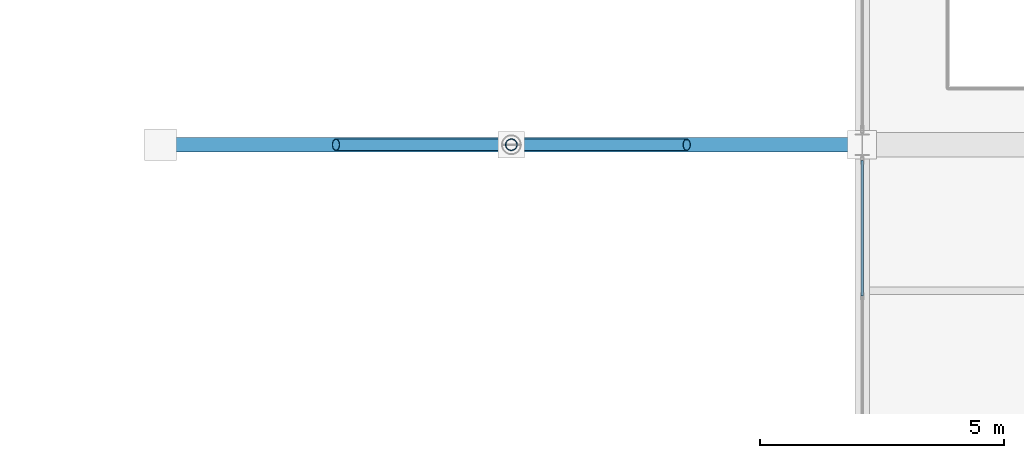
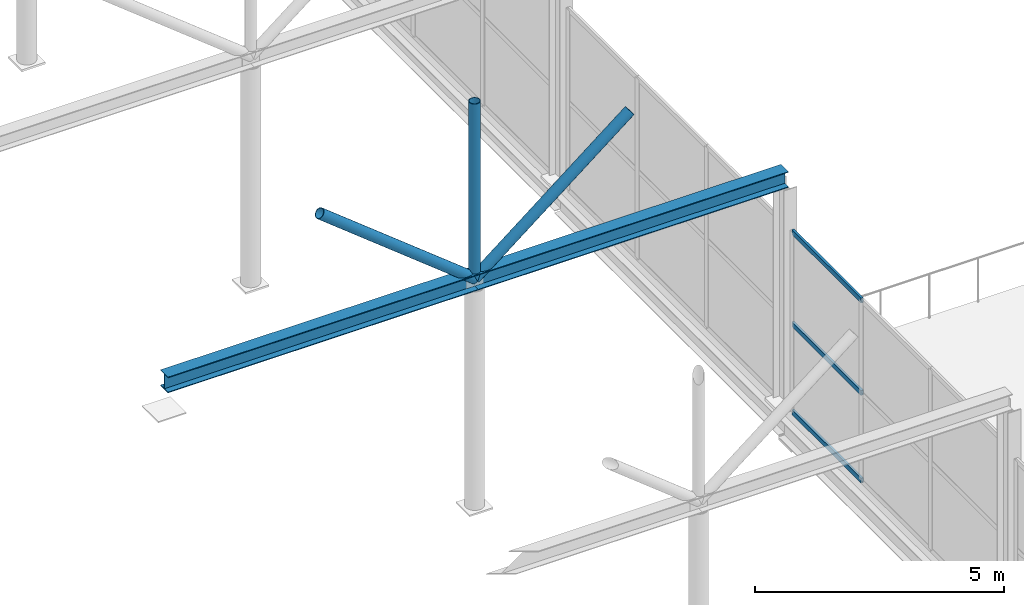
# One storey, part 37 of 147: 6 members, 2 beams, 1 element without a shape of its own.
"""IFC4 building model written with IfcOpenShell, lengths in metres."""

from ifc_helpers import new_model, si_unit, direction, frame, origin, origin_2d, place, context, subcontext, project, spatial, hollow_rectangle, hollow_circle, i_section, extrude, material, layer, layer_set, material_profile, profile_set, type_object, element, aggregate, save


model = new_model("IFC4")

# Units and contexts
model_context = context("Model", 3, precision=1e-05, world=origin(), true_north=direction((0.0, 1.0)))
body_context = subcontext(model_context, "Body", "Model", "MODEL_VIEW")
ifc_project = project(units=[si_unit("LENGTHUNIT", "METRE"), si_unit("AREAUNIT", "SQUARE_METRE"), si_unit("VOLUMEUNIT", "CUBIC_METRE"), si_unit("PLANEANGLEUNIT", "RADIAN"), si_unit("MASSUNIT", "GRAM", prefix="KILO")], contexts=[model_context])

# Site, building, storey
site_placement = place(None, origin())
site = spatial("IfcSite", under=ifc_project, at=site_placement, CompositionType="ELEMENT")
building_placement = place(site_placement, origin())
building = spatial("IfcBuilding", under=site, at=building_placement, Name="Sundgate Opera House", CompositionType="ELEMENT")
storey_placement = place(building_placement, frame((0.0, 0.0, 6.0)))
storey = spatial("IfcBuildingStorey", under=building, at=storey_placement, Name="L01", CompositionType="ELEMENT", Elevation=6.0)

# Beams
ifc_material_1 = material(Name="Steel S355J2", Category="steel")
ifc_material_profile_1 = material_profile(ifc_material_1, i_section(OverallWidth=0.300048828125, OverallDepth=0.389892578125, WebThickness=0.010986328125, FlangeThickness=0.01904296875, at=origin_2d()), Name="HEA 400")
ifc_profile_set_1 = profile_set([ifc_material_profile_1], Name="Steel S355J2")
beam_type = type_object("IfcBeamType", Name="BM-GR-HEA400", PredefinedType="BEAM", material=ifc_profile_set_1)
for number, where, z_axis, x_axis, name in (
    (1, (81.0, 42.0, 5.5849609375), (1.0, 0.0, 0.0), (0.0, 1.0, 0.0), "L01 Passage Arch Tie Beam B3401"),
    (2, (88.199951171875, 42.0, 5.5849609375), (1.0, 0.0, 0.0), (0.0, 1.0, 0.0), "L01 Passage Arch Tie Beam B3402"),
):
    element("IfcBeam", number, at=place(storey_placement, frame(where, z_axis=z_axis, x_axis=x_axis)), inside=storey, type_object=beam_type, Name=name, PredefinedType="BEAM", context=body_context, shape_type="SweptSolid", body=[
        extrude(i_section(OverallWidth=0.300048828125, OverallDepth=0.389892578125, WebThickness=0.010986328125, FlangeThickness=0.01904296875, at=origin_2d()), origin(), (0.0, 0.0, 1.0), 7.199951171875),
    ])

# Curtain wall, members
ifc_material_2 = material(Name="Anodized aluminium and low-iron glass", Category="aluminium")
ifc_layer = layer(ifc_material_2, 0.159912109375)
ifc_layer_set = layer_set([ifc_layer], Name="Anodized aluminium and low-iron glass")
curtain_wall_type = type_object("IfcCurtainWallType", Name="CW-STUDIO-DARK", PredefinedType="NOTDEFINED", material=ifc_layer_set)
curtain_wall_placement = place(storey_placement, origin())
curtain_wall = element("IfcCurtainWall", 3, at=curtain_wall_placement, inside=storey, type_object=curtain_wall_type, Name="L01 Curtain Wall CW044", PredefinedType="NOTDEFINED")
ifc_material_3 = material(Name="Anodized aluminium EN AW-6063", Category="aluminium")
ifc_material_profile_2 = material_profile(ifc_material_3, hollow_rectangle(XDim=0.054931640625, YDim=0.1201171875, WallThickness=0.00390625, at=origin_2d()), Name="CWT 120x55x4")
ifc_profile_set_2 = profile_set([ifc_material_profile_2], Name="Anodized aluminium EN AW-6063")
member_type_1 = type_object("IfcMemberType", Name="CWT-ALU-120x55", PredefinedType="USERDEFINED", material=ifc_profile_set_2)
member_1_placement = place(storey_placement, frame((95.39990234375, 41.675048828125, 0.0), z_axis=(0.0, -1.0, 0.0), x_axis=(1.0, 0.0, 0.0)))
member_1 = element("IfcMember", 4, at=member_1_placement, type_object=member_type_1, Name="CW044 Transom 1", ObjectType="TRANSOM", PredefinedType="USERDEFINED", context=body_context, shape_type="SweptSolid", body=[
    extrude(hollow_rectangle(XDim=0.054931640625, YDim=0.1201171875, WallThickness=0.00390625, at=origin_2d()), origin(), (0.0, 0.0, 1.0), 2.783447265625),
])
member_2_placement = place(storey_placement, frame((95.39990234375, 41.675048828125, 2.14990234375), z_axis=(0.0, -1.0, 0.0), x_axis=(1.0, 0.0, 0.0)))
member_2 = element("IfcMember", 5, at=member_2_placement, type_object=member_type_1, Name="CW044 Transom 2", ObjectType="TRANSOM", PredefinedType="USERDEFINED", context=body_context, shape_type="SweptSolid", body=[
    extrude(hollow_rectangle(XDim=0.054931640625, YDim=0.1201171875, WallThickness=0.00390625, at=origin_2d()), origin(), (0.0, 0.0, 1.0), 2.783447265625),
])
member_3_placement = place(storey_placement, frame((95.39990234375, 41.675048828125, 4.4150390625), z_axis=(0.0, -1.0, 0.0), x_axis=(1.0, 0.0, 0.0)))
member_3 = element("IfcMember", 6, at=member_3_placement, type_object=member_type_1, Name="CW044 Transom 3", ObjectType="TRANSOM", PredefinedType="USERDEFINED", context=body_context, shape_type="SweptSolid", body=[
    extrude(hollow_rectangle(XDim=0.054931640625, YDim=0.1201171875, WallThickness=0.00390625, at=origin_2d()), origin(), (0.0, 0.0, 1.0), 2.783447265625),
])
aggregate(curtain_wall, [member_1, member_2, member_3])

# Members
ifc_material_4 = material(Name="Steel S355J2", Category="steel")
ifc_material_profile_3 = material_profile(ifc_material_4, hollow_circle(Radius=0.122314453125, WallThickness=0.012451171875, at=origin_2d()), Name="CHS 244.5x12.5")
ifc_profile_set_3 = profile_set([ifc_material_profile_3], Name="Steel S355J2")
member_type_2 = type_object("IfcMemberType", Name="MB-STRUT-CHS244", PredefinedType="STRUT", material=ifc_profile_set_3)
member_4_placement = place(storey_placement, frame((88.199951171875, 42.0, 5.594970703125), z_axis=(-0.78350570776, 0.0, 0.621384587762), x_axis=(0.0, -1.0, 0.0)))
element("IfcMember", 7, at=member_4_placement, inside=storey, type_object=member_type_2, Name="Passage Arch Spandrel Strut M0311", PredefinedType="STRUT", context=body_context, shape_type="SweptSolid", body=[
    extrude(hollow_circle(Radius=0.122314453125, WallThickness=0.012451171875, at=origin_2d()), origin(), (0.0, 0.0, 1.0), 4.594482421875),
])
member_5_placement = place(storey_placement, frame((88.199951171875, 42.0, 5.594970703125), z_axis=(0.783526223691, 0.0, 0.621358718285), x_axis=(0.0, 1.0, 0.0)))
element("IfcMember", 8, at=member_5_placement, inside=storey, type_object=member_type_2, Name="Passage Arch Spandrel Strut M0312", PredefinedType="STRUT", context=body_context, shape_type="SweptSolid", body=[
    extrude(hollow_circle(Radius=0.122314453125, WallThickness=0.012451171875, at=origin_2d()), origin(), (0.0, 0.0, 1.0), 4.5947265625),
])
member_6_placement = place(storey_placement, frame((88.199951171875, 42.0, 5.594970703125), z_axis=(0.0, 0.0, 1.0), x_axis=(1.0, 0.0, 0.0)))
element("IfcMember", 9, at=member_6_placement, inside=storey, type_object=member_type_2, Name="Passage Arch Crown Post M0313", PredefinedType="STRUT", context=body_context, shape_type="SweptSolid", body=[
    extrude(hollow_circle(Radius=0.122314453125, WallThickness=0.012451171875, at=origin_2d()), origin(), (0.0, 0.0, 1.0), 4.35498046875),
])

save(model, "model.ifc")
